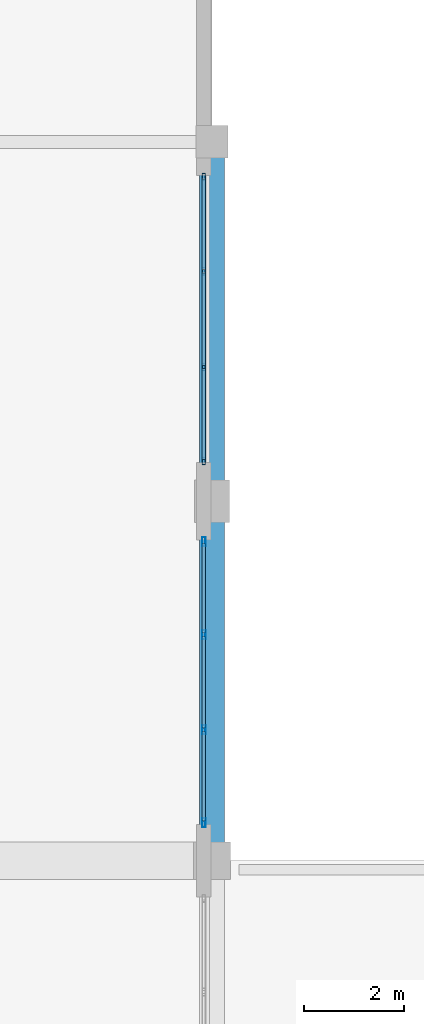
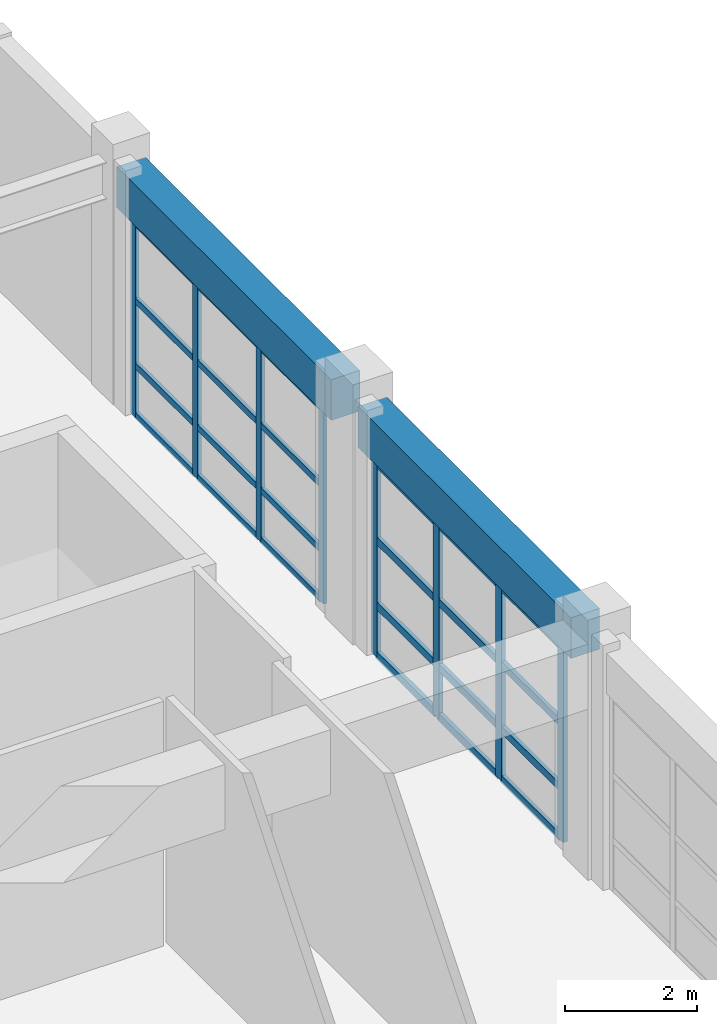
# One storey, part 30 of 123: 32 members, 2 beams, 2 elements without a shape of their own.
"""IFC4 building model written with IfcOpenShell, lengths in metres."""

from ifc_helpers import new_model, si_unit, direction, frame, origin, origin_2d, place, context, subcontext, project, spatial, rectangle, hollow_rectangle, extrude, material, layer, layer_set, material_profile, profile_set, type_object, element, aggregate, save


model = new_model("IFC4")

# Units and contexts
model_context = context("Model", 3, precision=1e-05, world=origin(), true_north=direction((0.0, 1.0)))
body_context = subcontext(model_context, "Body", "Model", "MODEL_VIEW")
ifc_project = project(units=[si_unit("LENGTHUNIT", "METRE"), si_unit("AREAUNIT", "SQUARE_METRE"), si_unit("VOLUMEUNIT", "CUBIC_METRE"), si_unit("PLANEANGLEUNIT", "RADIAN"), si_unit("MASSUNIT", "GRAM", prefix="KILO")], contexts=[model_context])

# Site, building, storey
site_placement = place(None, origin())
site = spatial("IfcSite", under=ifc_project, at=site_placement, CompositionType="ELEMENT")
building_placement = place(site_placement, origin())
building = spatial("IfcBuilding", under=site, at=building_placement, Name="Quendrovan Civic Courthouse", CompositionType="ELEMENT")
storey_placement = place(building_placement, frame((0.0, 0.0, 5.39990234375)))
storey = spatial("IfcBuildingStorey", under=building, at=storey_placement, Name="L02", CompositionType="ELEMENT", Elevation=5.39990234375)

# Beams
ifc_material_1 = material(Name="Concrete C40/50", Category="concrete")
ifc_material_profile_1 = material_profile(ifc_material_1, rectangle(XDim=0.5, YDim=0.75, at=origin_2d()), Name="RC-BM-500x750")
ifc_profile_set_1 = profile_set([ifc_material_profile_1], Name="Concrete C40/50")
beam_type = type_object("IfcBeamType", Name="BM-RC750", PredefinedType="SPANDREL", material=ifc_profile_set_1)
beam_1_placement = place(storey_placement, frame((16.800048828125, 80.7548828125, 3.985107421875), z_axis=(0.0, 1.0, 0.0), x_axis=(-1.0, 0.0, 0.0)))
element("IfcBeam", 1, at=beam_1_placement, inside=storey, type_object=beam_type, Name="L02 Girder Y0632", PredefinedType="SPANDREL", context=body_context, shape_type="SweptSolid", body=[
    extrude(rectangle(XDim=0.5, YDim=0.75, at=origin_2d()), origin(), (0.0, 0.0, 1.0), 6.440185546875),
])
beam_2_placement = place(storey_placement, frame((16.800048828125, 88.0048828125, 3.985107421875), z_axis=(0.0, 1.0, 0.0), x_axis=(-1.0, 0.0, 0.0)))
element("IfcBeam", 2, at=beam_2_placement, inside=storey, type_object=beam_type, Name="L02 Girder Y0633", PredefinedType="SPANDREL", context=body_context, shape_type="SweptSolid", body=[
    extrude(rectangle(XDim=0.5, YDim=0.75, at=origin_2d()), origin(), (0.0, 0.0, 1.0), 6.490234375),
])

# Curtain wall, members
ifc_material_2 = material(Name="Bronze anodised aluminium and low-E glass", Category="aluminium")
ifc_layer_1 = layer(ifc_material_2, 0.179931640625, Name="Bronze anodised aluminium and low-E glass")
ifc_layer_set_1 = layer_set([ifc_layer_1], Name="Bronze anodised aluminium and low-E glass")
curtain_wall_type_1 = type_object("IfcCurtainWallType", Name="CW-U57x36", PredefinedType="USERDEFINED", material=ifc_layer_set_1)
curtain_wall_1_placement = place(storey_placement, origin())
curtain_wall_1 = element("IfcCurtainWall", 3, at=curtain_wall_1_placement, inside=storey, type_object=curtain_wall_type_1, Name="L02 Unitised Hurricane Curtain Wall CW-070", ObjectType="UNITISED CURTAIN WALL", PredefinedType="USERDEFINED")
ifc_material_3 = material(Name="Bronze anodised aluminium", Category="aluminium")
ifc_material_profile_2 = material_profile(ifc_material_3, hollow_rectangle(XDim=0.070068359375, YDim=0.179931640625, WallThickness=0.00390625, at=origin_2d()), Name="CW-MULL-70x180")
ifc_profile_set_2 = profile_set([ifc_material_profile_2], Name="Bronze anodised aluminium")
member_type_1 = type_object("IfcMemberType", Name="CW-MULL-A", PredefinedType="MULLION", material=ifc_profile_set_2)
member_1_placement = place(storey_placement, frame((16.635009765625, 86.7900390625, 0.0), z_axis=(0.0, 0.0, 1.0), x_axis=(1.0, 0.0, 0.0)))
member_1 = element("IfcMember", 4, at=member_1_placement, type_object=member_type_1, Name="CW-070 mullion 1", PredefinedType="MULLION", context=body_context, shape_type="SweptSolid", body=[
    extrude(hollow_rectangle(XDim=0.070068359375, YDim=0.179931640625, WallThickness=0.00390625, at=origin_2d()), origin(), (0.0, 0.0, 1.0), 3.60009765625),
])
member_2_placement = place(storey_placement, frame((16.635009765625, 84.925048828125, 0.0), z_axis=(0.0, 0.0, 1.0), x_axis=(1.0, 0.0, 0.0)))
member_2 = element("IfcMember", 5, at=member_2_placement, type_object=member_type_1, Name="CW-070 mullion 2", PredefinedType="MULLION", context=body_context, shape_type="SweptSolid", body=[
    extrude(hollow_rectangle(XDim=0.070068359375, YDim=0.179931640625, WallThickness=0.00390625, at=origin_2d()), origin(), (0.0, 0.0, 1.0), 3.60009765625),
])
member_3_placement = place(storey_placement, frame((16.635009765625, 83.02490234375, 0.0), z_axis=(0.0, 0.0, 1.0), x_axis=(1.0, 0.0, 0.0)))
member_3 = element("IfcMember", 6, at=member_3_placement, type_object=member_type_1, Name="CW-070 mullion 3", PredefinedType="MULLION", context=body_context, shape_type="SweptSolid", body=[
    extrude(hollow_rectangle(XDim=0.070068359375, YDim=0.179931640625, WallThickness=0.00390625, at=origin_2d()), origin(), (0.0, 0.0, 1.0), 3.60009765625),
])
member_4_placement = place(storey_placement, frame((16.635009765625, 81.159912109375, 0.0), z_axis=(0.0, 0.0, 1.0), x_axis=(1.0, 0.0, 0.0)))
member_4 = element("IfcMember", 7, at=member_4_placement, type_object=member_type_1, Name="CW-070 mullion 4", PredefinedType="MULLION", context=body_context, shape_type="SweptSolid", body=[
    extrude(hollow_rectangle(XDim=0.070068359375, YDim=0.179931640625, WallThickness=0.00390625, at=origin_2d()), origin(), (0.0, 0.0, 1.0), 3.60009765625),
])

ifc_layer_2 = layer(ifc_material_2, 0.179931640625, Name="Bronze anodised aluminium and low-E glass")
ifc_layer_set_2 = layer_set([ifc_layer_2], Name="Bronze anodised aluminium and low-E glass")
curtain_wall_type_2 = type_object("IfcCurtainWallType", Name="CW-U58x36", PredefinedType="USERDEFINED", material=ifc_layer_set_2)
curtain_wall_2_placement = place(storey_placement, origin())
curtain_wall_2 = element("IfcCurtainWall", 8, at=curtain_wall_2_placement, inside=storey, type_object=curtain_wall_type_2, Name="L02 Unitised Hurricane Curtain Wall CW-069", ObjectType="UNITISED CURTAIN WALL", PredefinedType="USERDEFINED")
ifc_material_profile_3 = material_profile(ifc_material_3, hollow_rectangle(XDim=0.06494140625, YDim=0.14990234375, WallThickness=0.00390625, at=origin_2d()), Name="CW-MULL-65x150")
ifc_profile_set_3 = profile_set([ifc_material_profile_3], Name="Bronze anodised aluminium")
member_type_2 = type_object("IfcMemberType", Name="CW-MULL-B", PredefinedType="MULLION", material=ifc_profile_set_3)
member_5_placement = place(storey_placement, frame((16.635009765625, 94.092529296875, 0.0), z_axis=(0.0, 0.0, 1.0), x_axis=(1.0, 0.0, 0.0)))
member_5 = element("IfcMember", 9, at=member_5_placement, type_object=member_type_2, Name="CW-069 mullion 1", PredefinedType="MULLION", context=body_context, shape_type="SweptSolid", body=[
    extrude(hollow_rectangle(XDim=0.06494140625, YDim=0.14990234375, WallThickness=0.00390625, at=origin_2d()), origin(), (0.0, 0.0, 1.0), 3.60009765625),
])
member_6_placement = place(storey_placement, frame((16.635009765625, 92.208251953125, 0.0), z_axis=(0.0, 0.0, 1.0), x_axis=(1.0, 0.0, 0.0)))
member_6 = element("IfcMember", 10, at=member_6_placement, type_object=member_type_2, Name="CW-069 mullion 2", PredefinedType="MULLION", context=body_context, shape_type="SweptSolid", body=[
    extrude(hollow_rectangle(XDim=0.06494140625, YDim=0.14990234375, WallThickness=0.00390625, at=origin_2d()), origin(), (0.0, 0.0, 1.0), 3.60009765625),
])
member_7_placement = place(storey_placement, frame((16.635009765625, 90.291748046875, 0.0), z_axis=(0.0, 0.0, 1.0), x_axis=(1.0, 0.0, 0.0)))
member_7 = element("IfcMember", 11, at=member_7_placement, type_object=member_type_2, Name="CW-069 mullion 3", PredefinedType="MULLION", context=body_context, shape_type="SweptSolid", body=[
    extrude(hollow_rectangle(XDim=0.06494140625, YDim=0.14990234375, WallThickness=0.00390625, at=origin_2d()), origin(), (0.0, 0.0, 1.0), 3.60009765625),
])
member_8_placement = place(storey_placement, frame((16.635009765625, 88.407470703125, 0.0), z_axis=(0.0, 0.0, 1.0), x_axis=(1.0, 0.0, 0.0)))
member_8 = element("IfcMember", 12, at=member_8_placement, type_object=member_type_2, Name="CW-069 mullion 4", PredefinedType="MULLION", context=body_context, shape_type="SweptSolid", body=[
    extrude(hollow_rectangle(XDim=0.06494140625, YDim=0.14990234375, WallThickness=0.00390625, at=origin_2d()), origin(), (0.0, 0.0, 1.0), 3.60009765625),
])

# Member
ifc_material_profile_4 = material_profile(ifc_material_3, hollow_rectangle(XDim=0.070068359375, YDim=0.139892578125, WallThickness=0.00390625, at=origin_2d()), Name="CW-TRAN-70x140")
ifc_profile_set_4 = profile_set([ifc_material_profile_4], Name="Bronze anodised aluminium")
member_type_3 = type_object("IfcMemberType", Name="CW-TRAN-A", PredefinedType="USERDEFINED", material=ifc_profile_set_4)
member_9_placement = place(storey_placement, frame((16.635009765625, 86.7548828125, 0.03515625), z_axis=(0.0, -1.0, 0.0), x_axis=(1.0, 0.0, 0.0)))
member_9 = element("IfcMember", 13, at=member_9_placement, type_object=member_type_3, Name="CW-070 transom 1.1", ObjectType="TRANSOM", PredefinedType="USERDEFINED", context=body_context, shape_type="SweptSolid", body=[
    extrude(hollow_rectangle(XDim=0.070068359375, YDim=0.139892578125, WallThickness=0.00390625, at=origin_2d()), origin(), (0.0, 0.0, 1.0), 1.794921875),
])

member_10_placement = place(storey_placement, frame((16.635009765625, 86.7548828125, 0.9501953125), z_axis=(0.0, -1.0, 0.0), x_axis=(1.0, 0.0, 0.0)))
member_10 = element("IfcMember", 14, at=member_10_placement, type_object=member_type_3, Name="CW-070 transom 1.2", ObjectType="TRANSOM", PredefinedType="USERDEFINED", context=body_context, shape_type="SweptSolid", body=[
    extrude(hollow_rectangle(XDim=0.070068359375, YDim=0.139892578125, WallThickness=0.00390625, at=origin_2d()), origin(), (0.0, 0.0, 1.0), 1.794921875),
])

member_11_placement = place(storey_placement, frame((16.635009765625, 86.7548828125, 2.150146484375), z_axis=(0.0, -1.0, 0.0), x_axis=(1.0, 0.0, 0.0)))
member_11 = element("IfcMember", 15, at=member_11_placement, type_object=member_type_3, Name="CW-070 transom 1.3", ObjectType="TRANSOM", PredefinedType="USERDEFINED", context=body_context, shape_type="SweptSolid", body=[
    extrude(hollow_rectangle(XDim=0.070068359375, YDim=0.139892578125, WallThickness=0.00390625, at=origin_2d()), origin(), (0.0, 0.0, 1.0), 1.794921875),
])

member_12_placement = place(storey_placement, frame((16.635009765625, 86.7548828125, 3.565185546875), z_axis=(0.0, -1.0, 0.0), x_axis=(1.0, 0.0, 0.0)))
member_12 = element("IfcMember", 16, at=member_12_placement, type_object=member_type_3, Name="CW-070 transom 1.4", ObjectType="TRANSOM", PredefinedType="USERDEFINED", context=body_context, shape_type="SweptSolid", body=[
    extrude(hollow_rectangle(XDim=0.070068359375, YDim=0.139892578125, WallThickness=0.00390625, at=origin_2d()), origin(), (0.0, 0.0, 1.0), 1.794921875),
])

member_13_placement = place(storey_placement, frame((16.635009765625, 84.889892578125, 0.03515625), z_axis=(0.0, -1.0, 0.0), x_axis=(1.0, 0.0, 0.0)))
member_13 = element("IfcMember", 17, at=member_13_placement, type_object=member_type_3, Name="CW-070 transom 2.1", ObjectType="TRANSOM", PredefinedType="USERDEFINED", context=body_context, shape_type="SweptSolid", body=[
    extrude(hollow_rectangle(XDim=0.070068359375, YDim=0.139892578125, WallThickness=0.00390625, at=origin_2d()), origin(), (0.0, 0.0, 1.0), 1.829833984375),
])

member_14_placement = place(storey_placement, frame((16.635009765625, 84.889892578125, 0.9501953125), z_axis=(0.0, -1.0, 0.0), x_axis=(1.0, 0.0, 0.0)))
member_14 = element("IfcMember", 18, at=member_14_placement, type_object=member_type_3, Name="CW-070 transom 2.2", ObjectType="TRANSOM", PredefinedType="USERDEFINED", context=body_context, shape_type="SweptSolid", body=[
    extrude(hollow_rectangle(XDim=0.070068359375, YDim=0.139892578125, WallThickness=0.00390625, at=origin_2d()), origin(), (0.0, 0.0, 1.0), 1.829833984375),
])

member_15_placement = place(storey_placement, frame((16.635009765625, 84.889892578125, 2.150146484375), z_axis=(0.0, -1.0, 0.0), x_axis=(1.0, 0.0, 0.0)))
member_15 = element("IfcMember", 19, at=member_15_placement, type_object=member_type_3, Name="CW-070 transom 2.3", ObjectType="TRANSOM", PredefinedType="USERDEFINED", context=body_context, shape_type="SweptSolid", body=[
    extrude(hollow_rectangle(XDim=0.070068359375, YDim=0.139892578125, WallThickness=0.00390625, at=origin_2d()), origin(), (0.0, 0.0, 1.0), 1.829833984375),
])

member_16_placement = place(storey_placement, frame((16.635009765625, 84.889892578125, 3.565185546875), z_axis=(0.0, -1.0, 0.0), x_axis=(1.0, 0.0, 0.0)))
member_16 = element("IfcMember", 20, at=member_16_placement, type_object=member_type_3, Name="CW-070 transom 2.4", ObjectType="TRANSOM", PredefinedType="USERDEFINED", context=body_context, shape_type="SweptSolid", body=[
    extrude(hollow_rectangle(XDim=0.070068359375, YDim=0.139892578125, WallThickness=0.00390625, at=origin_2d()), origin(), (0.0, 0.0, 1.0), 1.829833984375),
])

member_17_placement = place(storey_placement, frame((16.635009765625, 82.989990234375, 0.03515625), z_axis=(0.0, -1.0, 0.0), x_axis=(1.0, 0.0, 0.0)))
member_17 = element("IfcMember", 21, at=member_17_placement, type_object=member_type_3, Name="CW-070 transom 3.1", ObjectType="TRANSOM", PredefinedType="USERDEFINED", context=body_context, shape_type="SweptSolid", body=[
    extrude(hollow_rectangle(XDim=0.070068359375, YDim=0.139892578125, WallThickness=0.00390625, at=origin_2d()), origin(), (0.0, 0.0, 1.0), 1.794921875),
])

member_18_placement = place(storey_placement, frame((16.635009765625, 82.989990234375, 0.9501953125), z_axis=(0.0, -1.0, 0.0), x_axis=(1.0, 0.0, 0.0)))
member_18 = element("IfcMember", 22, at=member_18_placement, type_object=member_type_3, Name="CW-070 transom 3.2", ObjectType="TRANSOM", PredefinedType="USERDEFINED", context=body_context, shape_type="SweptSolid", body=[
    extrude(hollow_rectangle(XDim=0.070068359375, YDim=0.139892578125, WallThickness=0.00390625, at=origin_2d()), origin(), (0.0, 0.0, 1.0), 1.794921875),
])

member_19_placement = place(storey_placement, frame((16.635009765625, 82.989990234375, 2.150146484375), z_axis=(0.0, -1.0, 0.0), x_axis=(1.0, 0.0, 0.0)))
member_19 = element("IfcMember", 23, at=member_19_placement, type_object=member_type_3, Name="CW-070 transom 3.3", ObjectType="TRANSOM", PredefinedType="USERDEFINED", context=body_context, shape_type="SweptSolid", body=[
    extrude(hollow_rectangle(XDim=0.070068359375, YDim=0.139892578125, WallThickness=0.00390625, at=origin_2d()), origin(), (0.0, 0.0, 1.0), 1.794921875),
])

member_20_placement = place(storey_placement, frame((16.635009765625, 82.989990234375, 3.565185546875), z_axis=(0.0, -1.0, 0.0), x_axis=(1.0, 0.0, 0.0)))
member_20 = element("IfcMember", 24, at=member_20_placement, type_object=member_type_3, Name="CW-070 transom 3.4", ObjectType="TRANSOM", PredefinedType="USERDEFINED", context=body_context, shape_type="SweptSolid", body=[
    extrude(hollow_rectangle(XDim=0.070068359375, YDim=0.139892578125, WallThickness=0.00390625, at=origin_2d()), origin(), (0.0, 0.0, 1.0), 1.794921875),
])

aggregate(curtain_wall_1, [member_1, member_2, member_3, member_4, member_9, member_10, member_11, member_12, member_13, member_14, member_15, member_16, member_17, member_18, member_19, member_20])

ifc_material_profile_5 = material_profile(ifc_material_3, hollow_rectangle(XDim=0.06494140625, YDim=0.114990234375, WallThickness=0.00390625, at=origin_2d()), Name="CW-TRAN-65x115")
ifc_profile_set_5 = profile_set([ifc_material_profile_5], Name="Bronze anodised aluminium")
member_type_4 = type_object("IfcMemberType", Name="CW-TRAN-B", PredefinedType="USERDEFINED", material=ifc_profile_set_5)
member_21_placement = place(storey_placement, frame((16.635009765625, 94.06005859375, 0.03271484375), z_axis=(0.0, -1.0, 0.0), x_axis=(1.0, 0.0, 0.0)))
member_21 = element("IfcMember", 25, at=member_21_placement, type_object=member_type_4, Name="CW-069 transom 1.1", ObjectType="TRANSOM", PredefinedType="USERDEFINED", context=body_context, shape_type="SweptSolid", body=[
    extrude(hollow_rectangle(XDim=0.06494140625, YDim=0.114990234375, WallThickness=0.00390625, at=origin_2d()), origin(), (0.0, 0.0, 1.0), 1.8193359375),
])

member_22_placement = place(storey_placement, frame((16.635009765625, 94.06005859375, 0.9501953125), z_axis=(0.0, -1.0, 0.0), x_axis=(1.0, 0.0, 0.0)))
member_22 = element("IfcMember", 26, at=member_22_placement, type_object=member_type_4, Name="CW-069 transom 1.2", ObjectType="TRANSOM", PredefinedType="USERDEFINED", context=body_context, shape_type="SweptSolid", body=[
    extrude(hollow_rectangle(XDim=0.06494140625, YDim=0.114990234375, WallThickness=0.00390625, at=origin_2d()), origin(), (0.0, 0.0, 1.0), 1.8193359375),
])

member_23_placement = place(storey_placement, frame((16.635009765625, 94.06005859375, 2.150146484375), z_axis=(0.0, -1.0, 0.0), x_axis=(1.0, 0.0, 0.0)))
member_23 = element("IfcMember", 27, at=member_23_placement, type_object=member_type_4, Name="CW-069 transom 1.3", ObjectType="TRANSOM", PredefinedType="USERDEFINED", context=body_context, shape_type="SweptSolid", body=[
    extrude(hollow_rectangle(XDim=0.06494140625, YDim=0.114990234375, WallThickness=0.00390625, at=origin_2d()), origin(), (0.0, 0.0, 1.0), 1.8193359375),
])

member_24_placement = place(storey_placement, frame((16.635009765625, 94.06005859375, 3.567626953125), z_axis=(0.0, -1.0, 0.0), x_axis=(1.0, 0.0, 0.0)))
member_24 = element("IfcMember", 28, at=member_24_placement, type_object=member_type_4, Name="CW-069 transom 1.4", ObjectType="TRANSOM", PredefinedType="USERDEFINED", context=body_context, shape_type="SweptSolid", body=[
    extrude(hollow_rectangle(XDim=0.06494140625, YDim=0.114990234375, WallThickness=0.00390625, at=origin_2d()), origin(), (0.0, 0.0, 1.0), 1.8193359375),
])

member_25_placement = place(storey_placement, frame((16.635009765625, 92.17578125, 0.03271484375), z_axis=(0.0, -1.0, 0.0), x_axis=(1.0, 0.0, 0.0)))
member_25 = element("IfcMember", 29, at=member_25_placement, type_object=member_type_4, Name="CW-069 transom 2.1", ObjectType="TRANSOM", PredefinedType="USERDEFINED", context=body_context, shape_type="SweptSolid", body=[
    extrude(hollow_rectangle(XDim=0.06494140625, YDim=0.114990234375, WallThickness=0.00390625, at=origin_2d()), origin(), (0.0, 0.0, 1.0), 1.8515625),
])

member_26_placement = place(storey_placement, frame((16.635009765625, 92.17578125, 0.9501953125), z_axis=(0.0, -1.0, 0.0), x_axis=(1.0, 0.0, 0.0)))
member_26 = element("IfcMember", 30, at=member_26_placement, type_object=member_type_4, Name="CW-069 transom 2.2", ObjectType="TRANSOM", PredefinedType="USERDEFINED", context=body_context, shape_type="SweptSolid", body=[
    extrude(hollow_rectangle(XDim=0.06494140625, YDim=0.114990234375, WallThickness=0.00390625, at=origin_2d()), origin(), (0.0, 0.0, 1.0), 1.8515625),
])

member_27_placement = place(storey_placement, frame((16.635009765625, 92.17578125, 2.150146484375), z_axis=(0.0, -1.0, 0.0), x_axis=(1.0, 0.0, 0.0)))
member_27 = element("IfcMember", 31, at=member_27_placement, type_object=member_type_4, Name="CW-069 transom 2.3", ObjectType="TRANSOM", PredefinedType="USERDEFINED", context=body_context, shape_type="SweptSolid", body=[
    extrude(hollow_rectangle(XDim=0.06494140625, YDim=0.114990234375, WallThickness=0.00390625, at=origin_2d()), origin(), (0.0, 0.0, 1.0), 1.8515625),
])

member_28_placement = place(storey_placement, frame((16.635009765625, 92.17578125, 3.567626953125), z_axis=(0.0, -1.0, 0.0), x_axis=(1.0, 0.0, 0.0)))
member_28 = element("IfcMember", 32, at=member_28_placement, type_object=member_type_4, Name="CW-069 transom 2.4", ObjectType="TRANSOM", PredefinedType="USERDEFINED", context=body_context, shape_type="SweptSolid", body=[
    extrude(hollow_rectangle(XDim=0.06494140625, YDim=0.114990234375, WallThickness=0.00390625, at=origin_2d()), origin(), (0.0, 0.0, 1.0), 1.8515625),
])

member_29_placement = place(storey_placement, frame((16.635009765625, 90.25927734375, 0.03271484375), z_axis=(0.0, -1.0, 0.0), x_axis=(1.0, 0.0, 0.0)))
member_29 = element("IfcMember", 33, at=member_29_placement, type_object=member_type_4, Name="CW-069 transom 3.1", ObjectType="TRANSOM", PredefinedType="USERDEFINED", context=body_context, shape_type="SweptSolid", body=[
    extrude(hollow_rectangle(XDim=0.06494140625, YDim=0.114990234375, WallThickness=0.00390625, at=origin_2d()), origin(), (0.0, 0.0, 1.0), 1.8193359375),
])

member_30_placement = place(storey_placement, frame((16.635009765625, 90.25927734375, 0.9501953125), z_axis=(0.0, -1.0, 0.0), x_axis=(1.0, 0.0, 0.0)))
member_30 = element("IfcMember", 34, at=member_30_placement, type_object=member_type_4, Name="CW-069 transom 3.2", ObjectType="TRANSOM", PredefinedType="USERDEFINED", context=body_context, shape_type="SweptSolid", body=[
    extrude(hollow_rectangle(XDim=0.06494140625, YDim=0.114990234375, WallThickness=0.00390625, at=origin_2d()), origin(), (0.0, 0.0, 1.0), 1.8193359375),
])

member_31_placement = place(storey_placement, frame((16.635009765625, 90.25927734375, 2.150146484375), z_axis=(0.0, -1.0, 0.0), x_axis=(1.0, 0.0, 0.0)))
member_31 = element("IfcMember", 35, at=member_31_placement, type_object=member_type_4, Name="CW-069 transom 3.3", ObjectType="TRANSOM", PredefinedType="USERDEFINED", context=body_context, shape_type="SweptSolid", body=[
    extrude(hollow_rectangle(XDim=0.06494140625, YDim=0.114990234375, WallThickness=0.00390625, at=origin_2d()), origin(), (0.0, 0.0, 1.0), 1.8193359375),
])

member_32_placement = place(storey_placement, frame((16.635009765625, 90.25927734375, 3.567626953125), z_axis=(0.0, -1.0, 0.0), x_axis=(1.0, 0.0, 0.0)))
member_32 = element("IfcMember", 36, at=member_32_placement, type_object=member_type_4, Name="CW-069 transom 3.4", ObjectType="TRANSOM", PredefinedType="USERDEFINED", context=body_context, shape_type="SweptSolid", body=[
    extrude(hollow_rectangle(XDim=0.06494140625, YDim=0.114990234375, WallThickness=0.00390625, at=origin_2d()), origin(), (0.0, 0.0, 1.0), 1.8193359375),
])

aggregate(curtain_wall_2, [member_5, member_6, member_7, member_8, member_21, member_22, member_23, member_24, member_25, member_26, member_27, member_28, member_29, member_30, member_31, member_32])

save(model, "model.ifc")
